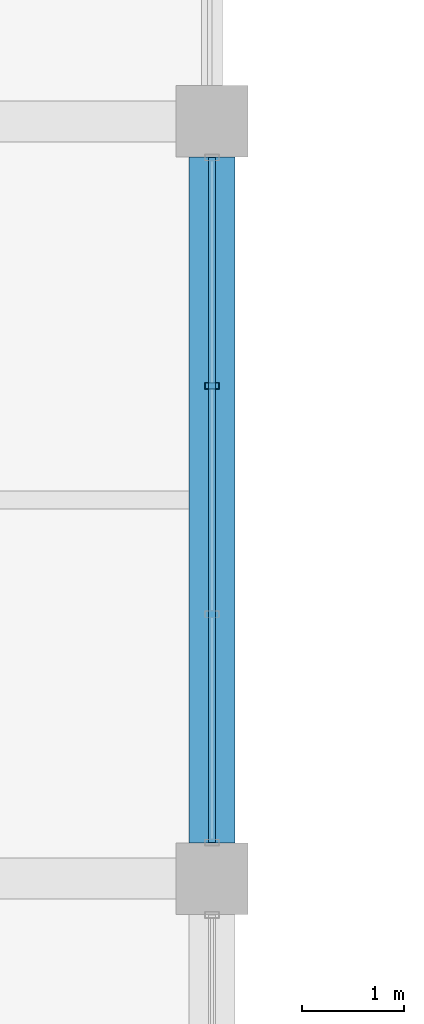
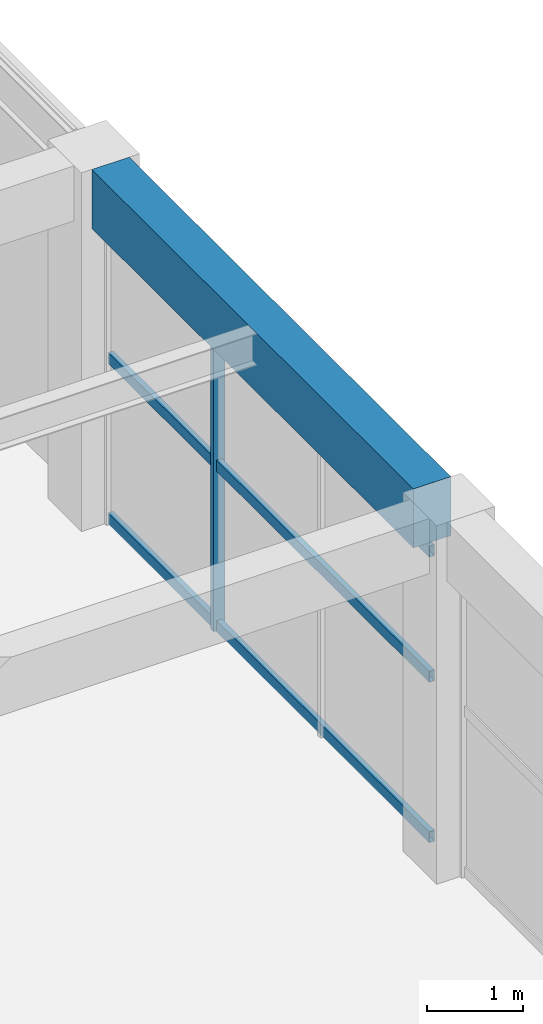
# One storey, part 81 of 161: 4 members, 1 beam, 1 element without a shape of its own.
"""IFC4 building model written with IfcOpenShell, lengths in metres."""

from ifc_helpers import new_model, si_unit, direction, frame, origin, origin_2d, place, context, subcontext, project, spatial, rectangle, hollow_rectangle, extrude, material, material_profile, profile_set, type_object, element, aggregate, save


model = new_model("IFC4")

# Units and contexts
model_context = context("Model", 3, precision=1e-05, world=origin(), true_north=direction((0.0, 1.0)))
body_context = subcontext(model_context, "Body", "Model", "MODEL_VIEW")
ifc_project = project(units=[si_unit("LENGTHUNIT", "METRE"), si_unit("AREAUNIT", "SQUARE_METRE"), si_unit("VOLUMEUNIT", "CUBIC_METRE"), si_unit("PLANEANGLEUNIT", "RADIAN"), si_unit("MASSUNIT", "GRAM", prefix="KILO")], contexts=[model_context])

# Site, building, storey
site_placement = place(None, origin())
site = spatial("IfcSite", under=ifc_project, at=site_placement, CompositionType="ELEMENT")
building_placement = place(site_placement, origin())
building = spatial("IfcBuilding", under=site, at=building_placement, Name="Cimatlan Art Gallery", CompositionType="ELEMENT")
storey_placement = place(building_placement, frame((0.0, 0.0, 5.39990234375)))
storey = spatial("IfcBuildingStorey", under=building, at=storey_placement, Name="L01", CompositionType="ELEMENT", Elevation=5.39990234375)

# Beam
ifc_material_1 = material(Name="Concrete C40/50", Category="concrete")
ifc_material_profile_1 = material_profile(ifc_material_1, rectangle(XDim=0.449951171875, YDim=0.75, at=origin_2d()), Name="RC450X750")
ifc_profile_set_1 = profile_set([ifc_material_profile_1], Name="Concrete C40/50")
beam_type = type_object("IfcBeamType", Name="BM-RC-450X750", PredefinedType="BEAM", material=ifc_profile_set_1)
beam_placement = place(storey_placement, frame((50.60009765625, 90.85009765625, 4.18505859375), z_axis=(0.0, 1.0, 0.0), x_axis=(-1.0, 0.0, 0.0)))
element("IfcBeam", 1, at=beam_placement, inside=storey, type_object=beam_type, Name="BM-Y-L01-06-12", PredefinedType="BEAM", context=body_context, shape_type="SweptSolid", body=[
    extrude(rectangle(XDim=0.449951171875, YDim=0.75, at=origin_2d()), origin(), (0.0, 0.0, 1.0), 6.699951171875),
])

# Curtain wall, members
ifc_material_2 = material(Name="Anodised bronze unitised curtain wall")
curtain_wall_type = type_object("IfcCurtainWallType", Name="CW-V-06692X03750-B3", PredefinedType="NOTDEFINED", material=ifc_material_2)
curtain_wall_placement = place(storey_placement, origin())
curtain_wall = element("IfcCurtainWall", 2, at=curtain_wall_placement, inside=storey, type_object=curtain_wall_type, Name="CW-L01-05-12-E", PredefinedType="NOTDEFINED")
ifc_material_3 = material(Name="Anodised bronze aluminium 6063-T6", Category="aluminium")
ifc_material_profile_2 = material_profile(ifc_material_3, hollow_rectangle(XDim=0.06494140625, YDim=0.139892578125, WallThickness=0.00390625, at=origin_2d()), Name="ALU65X140X4")
ifc_profile_set_2 = profile_set([ifc_material_profile_2], Name="Anodised bronze aluminium 6063-T6")
member_type_1 = type_object("IfcMemberType", Name="CW-MUL-140", PredefinedType="MULLION", material=ifc_profile_set_2)
member_1_placement = place(storey_placement, frame((50.60009765625, 95.3154296875, 0.0), z_axis=(0.0, 0.0, 1.0), x_axis=(0.0, 1.0, 0.0)))
member_1 = element("IfcMember", 3, at=member_1_placement, type_object=member_type_1, Name="CW-L01-05-12-E-M2", PredefinedType="MULLION", context=body_context, shape_type="SweptSolid", body=[
    extrude(hollow_rectangle(XDim=0.06494140625, YDim=0.139892578125, WallThickness=0.00390625, at=origin_2d()), origin(), (0.0, 0.0, 1.0), 3.75),
])
ifc_material_profile_3 = material_profile(ifc_material_3, hollow_rectangle(XDim=0.06494140625, YDim=0.139892578125, WallThickness=0.00390625, at=origin_2d()), Name="ALU65X140X4")
ifc_profile_set_3 = profile_set([ifc_material_profile_3], Name="Anodised bronze aluminium 6063-T6")
member_type_2 = type_object("IfcMemberType", Name="CW-TRN-140", PredefinedType="USERDEFINED", material=ifc_profile_set_3)
member_2_placement = place(storey_placement, frame((50.60009765625, 97.5458984375, 0.06005859375), z_axis=(0.0, -1.0, 0.0), x_axis=(1.0, 0.0, 0.0)))
member_2 = element("IfcMember", 4, at=member_2_placement, type_object=member_type_2, Name="CW-L01-05-12-E-T1", ObjectType="TRANSOM", PredefinedType="USERDEFINED", context=body_context, shape_type="SweptSolid", body=[
    extrude(hollow_rectangle(XDim=0.06494140625, YDim=0.139892578125, WallThickness=0.00390625, at=origin_2d()), origin(), (0.0, 0.0, 1.0), 6.69189453125),
])
member_3_placement = place(storey_placement, frame((50.60009765625, 97.5458984375, 2.10009765625), z_axis=(0.0, -1.0, 0.0), x_axis=(1.0, 0.0, 0.0)))
member_3 = element("IfcMember", 5, at=member_3_placement, type_object=member_type_2, Name="CW-L01-05-12-E-T2", ObjectType="TRANSOM", PredefinedType="USERDEFINED", context=body_context, shape_type="SweptSolid", body=[
    extrude(hollow_rectangle(XDim=0.06494140625, YDim=0.139892578125, WallThickness=0.00390625, at=origin_2d()), origin(), (0.0, 0.0, 1.0), 6.69189453125),
])
member_4_placement = place(storey_placement, frame((50.60009765625, 97.5458984375, 3.690185546875), z_axis=(0.0, -1.0, 0.0), x_axis=(1.0, 0.0, 0.0)))
member_4 = element("IfcMember", 6, at=member_4_placement, type_object=member_type_2, Name="CW-L01-05-12-E-T3", ObjectType="TRANSOM", PredefinedType="USERDEFINED", context=body_context, shape_type="SweptSolid", body=[
    extrude(hollow_rectangle(XDim=0.06494140625, YDim=0.139892578125, WallThickness=0.00390625, at=origin_2d()), origin(), (0.0, 0.0, 1.0), 6.69189453125),
])
aggregate(curtain_wall, [member_1, member_2, member_3, member_4])

save(model, "model.ifc")
